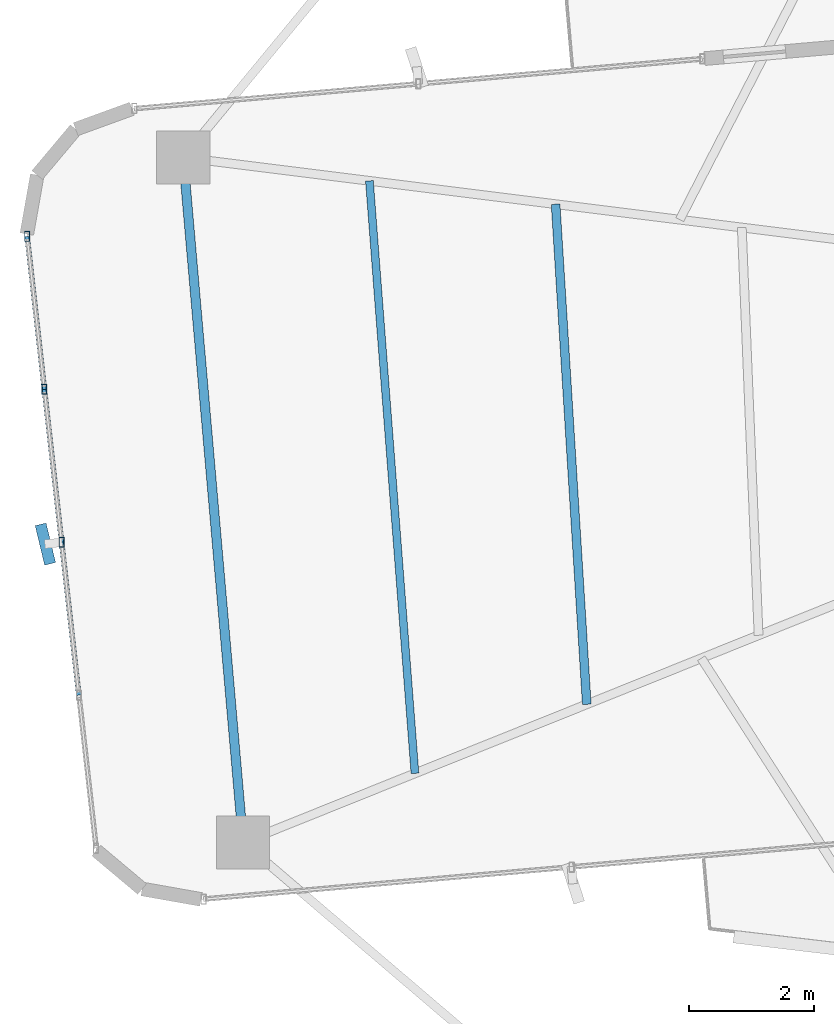
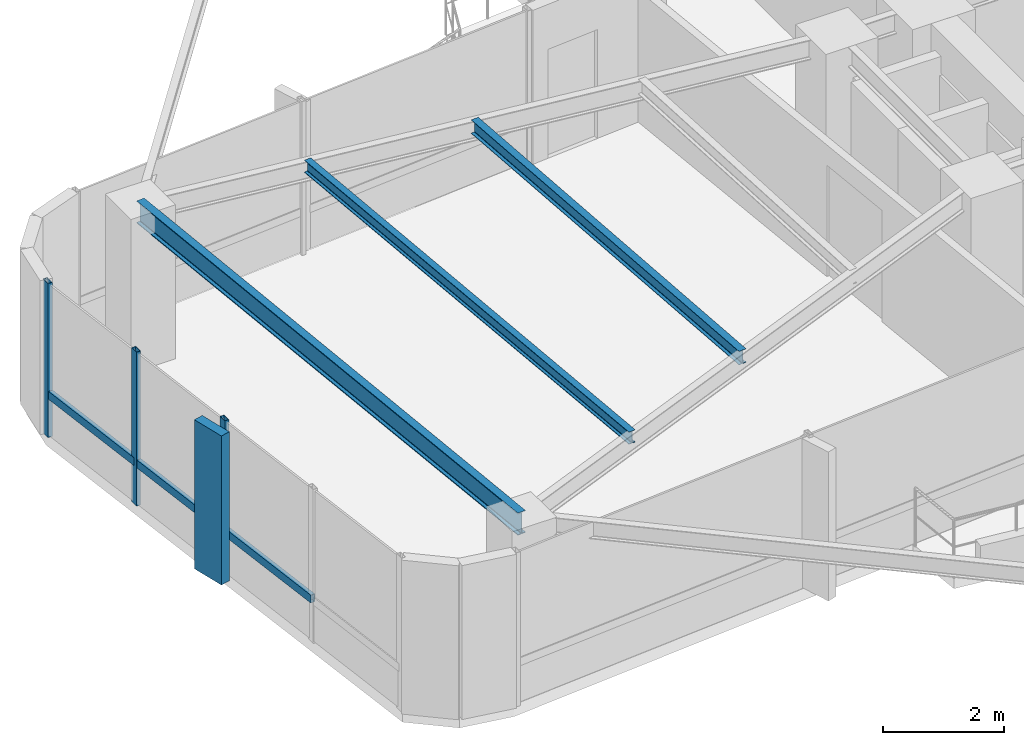
# One storey, part 8 of 24: 7 members, 3 beams, 1 element without a shape of its own.
"""IFC4 building model written with IfcOpenShell, lengths in metres."""

from ifc_helpers import new_model, si_unit, direction, frame, origin, origin_2d, place, context, subcontext, project, spatial, rectangle, hollow_rectangle, i_section, extrude, source, transform, mapped, material, material_profile, profile_set, type_object, element, aggregate, save


model = new_model("IFC4")

# Units and contexts
model_context = context("Model", 3, precision=1e-05, world=origin(), true_north=direction((0.0, 1.0)))
body_context = subcontext(model_context, "Body", "Model", "MODEL_VIEW")
ifc_project = project(units=[si_unit("LENGTHUNIT", "METRE"), si_unit("AREAUNIT", "SQUARE_METRE"), si_unit("VOLUMEUNIT", "CUBIC_METRE"), si_unit("PLANEANGLEUNIT", "RADIAN"), si_unit("MASSUNIT", "GRAM", prefix="KILO")], contexts=[model_context])

# Site, building, storey
site_placement = place(None, origin())
site = spatial("IfcSite", under=ifc_project, at=site_placement, CompositionType="ELEMENT")
building_placement = place(site_placement, origin())
building = spatial("IfcBuilding", under=site, at=building_placement, Name="Sahyath Konkavel Grand Hotel", CompositionType="ELEMENT")
storey_placement = place(building_placement, frame((0.0, 0.0, 185.25)))
storey = spatial("IfcBuildingStorey", under=building, at=storey_placement, Name="L51", CompositionType="ELEMENT", Elevation=185.25)

# Beams
ifc_material_1 = material(Name="Steel E350", Category="steel")
ifc_material_profile_1 = material_profile(ifc_material_1, i_section(OverallWidth=0.14990234375, OverallDepth=0.449951171875, WebThickness=0.009521484375, FlangeThickness=0.017333984375, FilletRadius=0.014892578125, at=origin_2d()), Name="ISMB 450")
ifc_profile_set_1 = profile_set([ifc_material_profile_1], Name="Steel E350")
beam_type_1 = type_object("IfcBeamType", Name="BM-ISMB450", PredefinedType="BEAM", material=ifc_profile_set_1)
shared_shape_1 = source(origin(), body_context, "Body", "SweptSolid", [
    extrude(i_section(OverallWidth=0.14990234375, OverallDepth=0.449951171875, WebThickness=0.009521484375, FlangeThickness=0.017333984375, FilletRadius=0.014892578125, at=origin_2d()), origin(), (0.0, 0.0, 1.0), 11.0),
])
beam_1_placement = place(storey_placement, frame((-17.912841796875, 3.953857421875, 2.885009765625), z_axis=(0.087157314015, -0.996194560622, 0.0), x_axis=(0.996194560622, 0.087157314015, 0.0)))
element("IfcBeam", 1, at=beam_1_placement, inside=storey, type_object=beam_type_1, Name="L51 Wing Tip Edge Beam W", PredefinedType="BEAM", context=body_context, shape_type="MappedRepresentation", body=[
    mapped(shared_shape_1, transform((0.0, 0.0, 0.0), scale=1.0)),
])
ifc_material_profile_2 = material_profile(ifc_material_1, i_section(OverallWidth=0.139892578125, OverallDepth=0.27490234375, WebThickness=0.00634765625, FlangeThickness=0.0087890625, FilletRadius=0.012939453125, at=origin_2d()), Name="ISLB 275")
ifc_profile_set_2 = profile_set([ifc_material_profile_2], Name="Steel E350")
beam_type_2 = type_object("IfcBeamType", Name="BM-ISLB275", PredefinedType="BEAM", material=ifc_profile_set_2)
shared_shape_2 = source(origin(), body_context, "Body", "SweptSolid", [
    extrude(i_section(OverallWidth=0.139892578125, OverallDepth=0.27490234375, WebThickness=0.00634765625, FlangeThickness=0.0087890625, FilletRadius=0.012939453125, at=origin_2d()), origin(), (0.0, 0.0, 1.0), 8.017822265625),
])
beam_2_placement = place(storey_placement, frame((-11.95458984375, 3.2080078125, 2.972412109375), z_axis=(0.062179233264, -0.998064999362, 0.0), x_axis=(0.998064999362, 0.062179233264, 0.0)))
element("IfcBeam", 2, at=beam_2_placement, inside=storey, type_object=beam_type_2, Name="L51 Secondary Floor Beam W-2", PredefinedType="BEAM", context=body_context, shape_type="MappedRepresentation", body=[
    mapped(shared_shape_2, transform((0.0, 0.0, 0.0), scale=1.0)),
])
ifc_material_profile_3 = material_profile(ifc_material_1, i_section(OverallWidth=0.125, OverallDepth=0.25, WebThickness=0.0068359375, FlangeThickness=0.012451171875, FilletRadius=0.012939453125, at=origin_2d()), Name="ISMB 250")
ifc_profile_set_3 = profile_set([ifc_material_profile_3], Name="Steel E350")
beam_type_3 = type_object("IfcBeamType", Name="BM-ISMB250", PredefinedType="BEAM", material=ifc_profile_set_3)
shared_shape_3 = source(origin(), body_context, "Body", "SweptSolid", [
    extrude(i_section(OverallWidth=0.125, OverallDepth=0.25, WebThickness=0.0068359375, FlangeThickness=0.012451171875, FilletRadius=0.012939453125, at=origin_2d()), origin(), (0.0, 0.0, 1.0), 9.508056640625),
])
beam_3_placement = place(storey_placement, frame((-14.93359375, 3.580810546875, 2.985107421875), z_axis=(0.076619921029, -0.997060373148, 0.0), x_axis=(0.997060373148, 0.076619921029, 0.0)))
element("IfcBeam", 3, at=beam_3_placement, inside=storey, type_object=beam_type_3, Name="L51 Secondary Floor Beam W-3", PredefinedType="BEAM", context=body_context, shape_type="MappedRepresentation", body=[
    mapped(shared_shape_3, transform((0.0, 0.0, 0.0), scale=1.0)),
])

# Curtain wall, members
ifc_material_2 = material(Name="Anodised Bronze Aluminium & Low-E Glazing", Category="aluminium")
curtain_wall_type = type_object("IfcCurtainWallType", Name="CW-ZONE3", PredefinedType="NOTDEFINED", material=ifc_material_2)
curtain_wall_placement = place(storey_placement, origin())
curtain_wall = element("IfcCurtainWall", 4, at=curtain_wall_placement, inside=storey, type_object=curtain_wall_type, Name="L51 Unitised Curtain Wall F20", PredefinedType="NOTDEFINED")
ifc_material_3 = material(Name="Warm Buff Sandstone Cladding on Concrete C50/60", Category="masonry")
ifc_material_profile_4 = material_profile(ifc_material_3, rectangle(XDim=0.179931640625, YDim=0.64990234375, at=origin_2d()), Name="FIN 180x650")
ifc_profile_set_4 = profile_set([ifc_material_profile_4], Name="Warm Buff Sandstone Cladding on Concrete C50/60")
member_type_1 = type_object("IfcMemberType", Name="FIN-SANDSTONE-650", PredefinedType="MULLION", material=ifc_profile_set_4)
shared_shape_4 = source(origin(), body_context, "Body", "SweptSolid", [
    extrude(rectangle(XDim=0.179931640625, YDim=0.64990234375, at=origin_2d()), origin(), (0.0, 0.0, 1.0), 3.010009765625),
])
member_1_placement = place(storey_placement, frame((-20.1181640625, -2.23095703125, 0.050048828125), z_axis=(0.0, 0.0, 1.0), x_axis=(0.972369920398, 0.233445363856, 0.0)))
member_1 = element("IfcMember", 5, at=member_1_placement, type_object=member_type_1, Name="L51 Sandstone Vertical Solar Fin FIN F20-2", PredefinedType="MULLION", context=body_context, shape_type="MappedRepresentation", body=[
    mapped(shared_shape_4, transform((0.0, 0.0, 0.0), scale=1.0)),
])
ifc_material_4 = material(Name="Anodised Bronze Aluminium", Category="aluminium")
ifc_material_profile_5 = material_profile(ifc_material_4, hollow_rectangle(XDim=0.080078125, YDim=0.159912109375, WallThickness=0.006103515625, at=origin_2d()), Name="RHS 160x80x6")
ifc_profile_set_5 = profile_set([ifc_material_profile_5], Name="Anodised Bronze Aluminium")
member_type_2 = type_object("IfcMemberType", Name="CW-MUL-160", PredefinedType="MULLION", material=ifc_profile_set_5)
shared_shape_5 = source(origin(), body_context, "Body", "SweptSolid", [
    extrude(hollow_rectangle(XDim=0.080078125, YDim=0.159912109375, WallThickness=0.006103515625, at=origin_2d()), origin(), (0.0, 0.0, 1.0), 3.110107421875),
])
member_2_placement = place(storey_placement, frame((-20.4111328125, 2.69140625, 0.0), z_axis=(0.0, 0.0, 1.0), x_axis=(1.0, 0.0, 0.0)))
member_2 = element("IfcMember", 6, at=member_2_placement, type_object=member_type_2, Name="L51 Curtain Wall Mullion F20-0", PredefinedType="MULLION", context=body_context, shape_type="MappedRepresentation", body=[
    mapped(shared_shape_5, transform((0.0, 0.0, 0.0), scale=1.0)),
])
member_3_placement = place(storey_placement, frame((-20.135498046875, 0.24462890625, 0.0), z_axis=(0.0, 0.0, 1.0), x_axis=(1.0, 0.0, 0.0)))
member_3 = element("IfcMember", 7, at=member_3_placement, type_object=member_type_2, Name="L51 Curtain Wall Mullion F20-1", PredefinedType="MULLION", context=body_context, shape_type="MappedRepresentation", body=[
    mapped(shared_shape_5, transform((0.0, 0.0, 0.0), scale=1.0)),
])
member_4_placement = place(storey_placement, frame((-19.859619140625, -2.201904296875, 0.0), z_axis=(0.0, 0.0, 1.0), x_axis=(1.0, 0.0, 0.0)))
member_4 = element("IfcMember", 8, at=member_4_placement, type_object=member_type_2, Name="L51 Curtain Wall Mullion F20-2", PredefinedType="MULLION", context=body_context, shape_type="MappedRepresentation", body=[
    mapped(shared_shape_5, transform((0.0, 0.0, 0.0), scale=1.0)),
])
ifc_material_profile_6 = material_profile(ifc_material_4, hollow_rectangle(XDim=0.080078125, YDim=0.159912109375, WallThickness=0.006103515625, at=origin_2d()), Name="RHS 160x80x6")
ifc_profile_set_6 = profile_set([ifc_material_profile_6], Name="Anodised Bronze Aluminium")
member_type_3 = type_object("IfcMemberType", Name="CW-TRN-160", PredefinedType="USERDEFINED", material=ifc_profile_set_6)
shared_shape_6 = source(origin(), body_context, "Body", "SweptSolid", [
    extrude(hollow_rectangle(XDim=0.080078125, YDim=0.159912109375, WallThickness=0.006103515625, at=origin_2d()), origin(), (0.0, 0.0, 1.0), 2.462158203125),
])
member_5_placement = place(storey_placement, frame((-20.4111328125, 2.69140625, 0.85009765625), z_axis=(0.11194409079, -0.993714506555, 0.0), x_axis=(0.993714506555, 0.11194409079, 0.0)))
member_5 = element("IfcMember", 9, at=member_5_placement, type_object=member_type_3, Name="L51 Curtain Wall Transom F20-0-spandrel", ObjectType="TRANSOM", PredefinedType="USERDEFINED", context=body_context, shape_type="MappedRepresentation", body=[
    mapped(shared_shape_6, transform((0.0, 0.0, 0.0), scale=1.0)),
])
member_6_placement = place(storey_placement, frame((-20.135498046875, 0.24462890625, 0.85009765625), z_axis=(0.112053040279, -0.99370222711, 0.0), x_axis=(0.99370222711, 0.112053040279, 0.0)))
member_6 = element("IfcMember", 10, at=member_6_placement, type_object=member_type_3, Name="L51 Curtain Wall Transom F20-1-spandrel", ObjectType="TRANSOM", PredefinedType="USERDEFINED", context=body_context, shape_type="MappedRepresentation", body=[
    mapped(shared_shape_6, transform((0.0, 0.0, 0.0), scale=1.0)),
])
shared_shape_7 = source(origin(), body_context, "Body", "SweptSolid", [
    extrude(hollow_rectangle(XDim=0.080078125, YDim=0.159912109375, WallThickness=0.006103515625, at=origin_2d()), origin(), (0.0, 0.0, 1.0), 2.461669921875),
])
member_7_placement = place(storey_placement, frame((-19.859619140625, -2.201904296875, 0.85009765625), z_axis=(0.111966154832, -0.993712020744, 0.0), x_axis=(0.993712020744, 0.111966154832, 0.0)))
member_7 = element("IfcMember", 11, at=member_7_placement, type_object=member_type_3, Name="L51 Curtain Wall Transom F20-2-spandrel", ObjectType="TRANSOM", PredefinedType="USERDEFINED", context=body_context, shape_type="MappedRepresentation", body=[
    mapped(shared_shape_7, transform((0.0, 0.0, 0.0), scale=1.0)),
])
aggregate(curtain_wall, [member_2, member_3, member_4, member_1, member_5, member_6, member_7])

save(model, "model.ifc")
